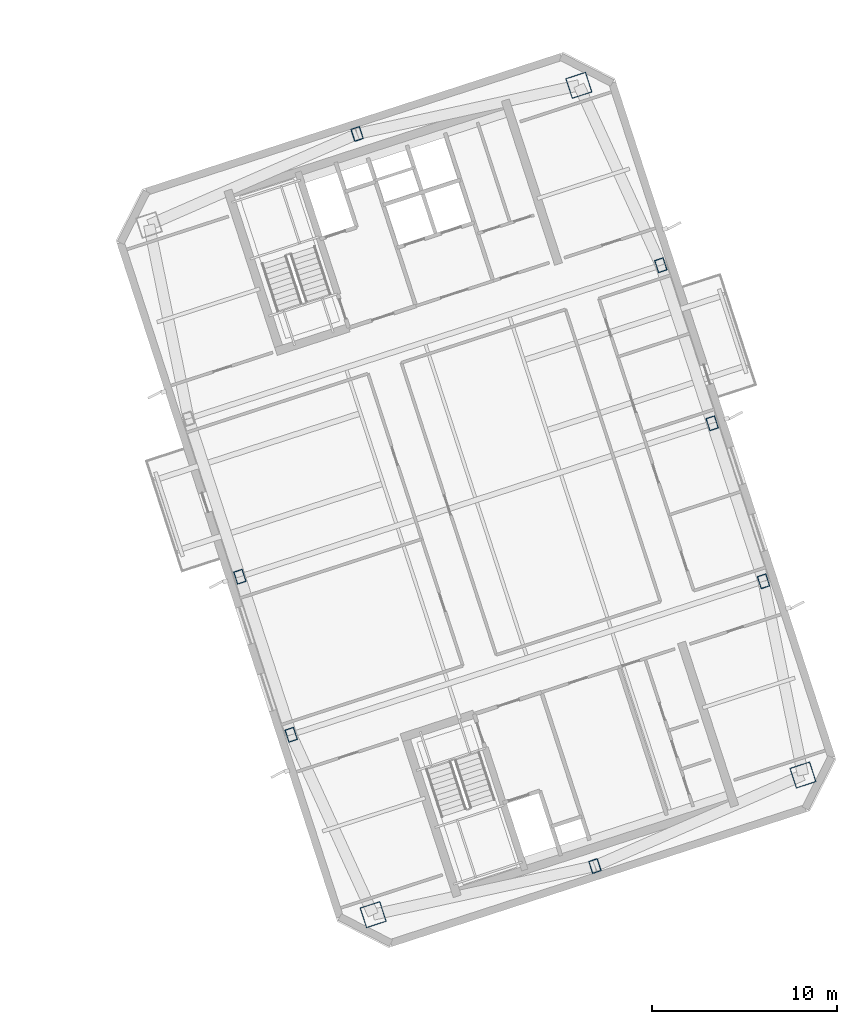
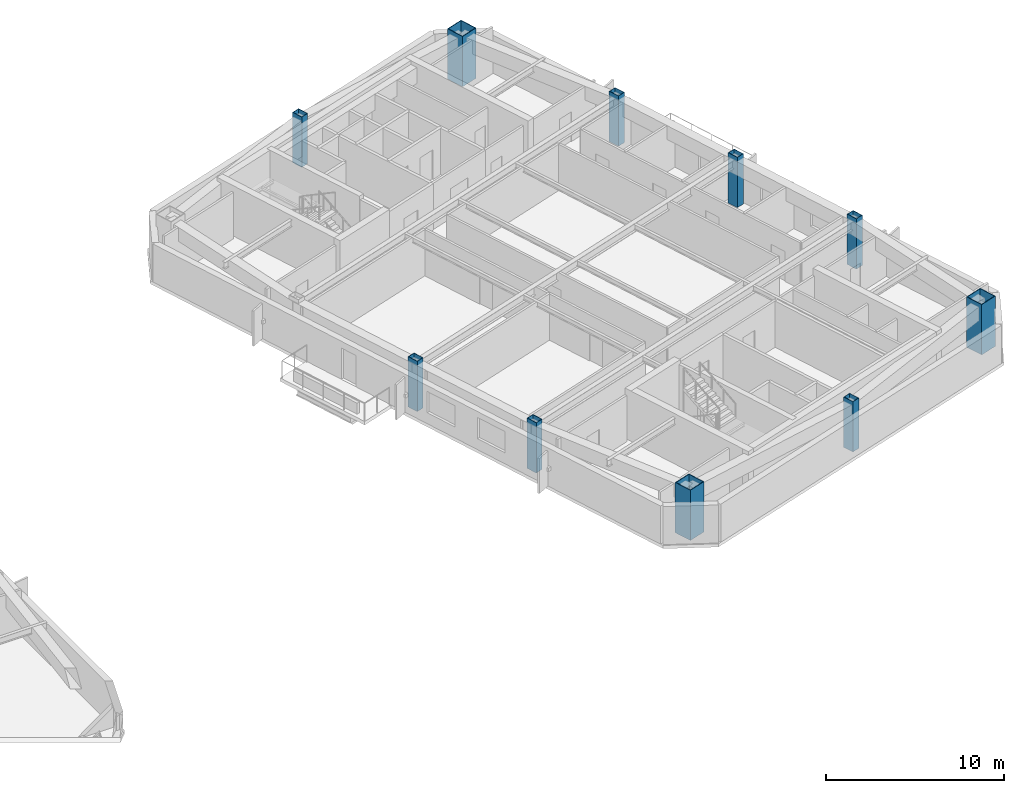
# One storey, part 2 of 17: 10 columns.
"""IFC4 building model written with IfcOpenShell, lengths in metres."""

from ifc_helpers import new_model, si_unit, direction, frame, origin, origin_2d, place, context, subcontext, project, spatial, hollow_rectangle, extrude, material, material_profile, profile_set, type_object, element, save


model = new_model("IFC4")

# Units and contexts
model_context = context("Model", 3, precision=1e-05, world=origin(), true_north=direction((0.0, 1.0)))
body_context = subcontext(model_context, "Body", "Model", "MODEL_VIEW")
ifc_project = project(units=[si_unit("LENGTHUNIT", "METRE"), si_unit("AREAUNIT", "SQUARE_METRE"), si_unit("VOLUMEUNIT", "CUBIC_METRE"), si_unit("PLANEANGLEUNIT", "RADIAN"), si_unit("MASSUNIT", "GRAM", prefix="KILO")], contexts=[model_context])

# Site, building, storey
site_placement = place(None, origin())
site = spatial("IfcSite", under=ifc_project, at=site_placement, CompositionType="ELEMENT")
building_placement = place(site_placement, origin())
building = spatial("IfcBuilding", under=site, at=building_placement, Name="Qiaolan Cultural Towers", CompositionType="ELEMENT")
storey_placement = place(building_placement, frame((0.0, 0.0, 205.85009765625)))
storey = spatial("IfcBuildingStorey", under=building, at=storey_placement, Name="L55", CompositionType="ELEMENT", Elevation=205.85009765625)

# Columns
ifc_material_1 = material(Name="Steel Q390GJB", Category="steel")
ifc_material_profile_1 = material_profile(ifc_material_1, hollow_rectangle(XDim=1.14990234375, YDim=1.14990234375, WallThickness=0.0400390625, at=origin_2d()), Name="BOX1150x1150x40")
ifc_profile_set_1 = profile_set([ifc_material_profile_1], Name="Steel Q390GJB")
column_type_1 = type_object("IfcColumnType", Name="COL-BOX1150x1150x40", PredefinedType="COLUMN", material=ifc_profile_set_1)
for number, where, z_axis, x_axis, name in (
    (1, (84.42822265625, 11.538818359375, 0.0), (0.0, 0.0, 1.0), (0.951056516295, 0.309016994375, 0.0), "L55 T2 Perimeter Column MC-SW"),
    (2, (107.7099609375, 19.103515625, 0.0), (0.0, 0.0, 1.0), (0.951056516295, 0.309016994375, 0.0), "L55 T2 Perimeter Column MC-SE"),
    (3, (95.57177734375, 56.461181640625, 0.0), (0.0, 0.0, 1.0), (0.951056516295, 0.309016994375, 0.0), "L55 T2 Perimeter Column MC-NE"),
):
    element("IfcColumn", number, at=place(storey_placement, frame(where, z_axis=z_axis, x_axis=x_axis)), inside=storey, type_object=column_type_1, Name=name, PredefinedType="COLUMN", context=body_context, shape_type="SweptSolid", body=[
        extrude(hollow_rectangle(XDim=1.14990234375, YDim=1.14990234375, WallThickness=0.0400390625, at=origin_2d()), origin(), (0.0, 0.0, 1.0), 3.450927734375),
    ])
ifc_material_2 = material(Name="Steel Q355B", Category="steel")
ifc_material_profile_2 = material_profile(ifc_material_2, hollow_rectangle(XDim=0.5, YDim=0.699951171875, WallThickness=0.02490234375, at=origin_2d()), Name="BOX700x500x25")
ifc_profile_set_2 = profile_set([ifc_material_profile_2], Name="Steel Q355B")
column_type_2 = type_object("IfcColumnType", Name="COL-BOX700x500x25", PredefinedType="COLUMN", material=ifc_profile_set_2)
for number, where, z_axis, x_axis, name in (
    (4, (79.989501953125, 21.2841796875, 0.0), (0.0, 0.0, 1.0), (0.951056516295, 0.309016994375, 0.0), "L55 T2 Perimeter Column PC-W1"),
    (5, (77.208251953125, 29.84375, 0.0), (0.0, 0.0, 1.0), (0.951056516295, 0.309016994375, 0.0), "L55 T2 Perimeter Column PC-W2"),
    (6, (105.57275390625, 29.5966796875, 0.0), (0.0, 0.0, 1.0), (0.951056516295, 0.309016994375, 0.0), "L55 T2 Perimeter Column PC-E1"),
    (7, (102.791748046875, 38.15625, 0.0), (0.0, 0.0, 1.0), (0.951056516295, 0.309016994375, 0.0), "L55 T2 Perimeter Column PC-E2"),
    (8, (100.010498046875, 46.7158203125, 0.0), (0.0, 0.0, 1.0), (0.951056516295, 0.309016994375, 0.0), "L55 T2 Perimeter Column PC-E3"),
    (9, (96.443115234375, 14.17041015625, 0.0), (0.0, 0.0, 1.0), (0.951056516295, 0.309016994375, 0.0), "L55 T2 Perimeter Column PC-S0"),
    (10, (83.556884765625, 53.82958984375, 0.0), (0.0, 0.0, 1.0), (0.951056516295, 0.309016994375, 0.0), "L55 T2 Perimeter Column PC-N0"),
):
    element("IfcColumn", number, at=place(storey_placement, frame(where, z_axis=z_axis, x_axis=x_axis)), inside=storey, type_object=column_type_2, Name=name, PredefinedType="COLUMN", context=body_context, shape_type="SweptSolid", body=[
        extrude(hollow_rectangle(XDim=0.5, YDim=0.699951171875, WallThickness=0.02490234375, at=origin_2d()), origin(), (0.0, 0.0, 1.0), 3.450927734375),
    ])

save(model, "model.ifc")
